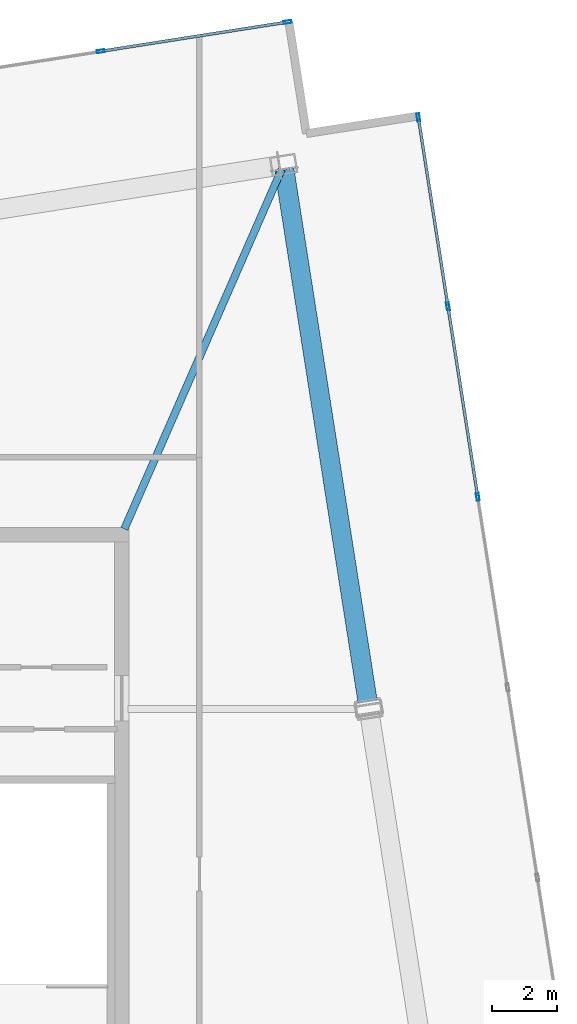
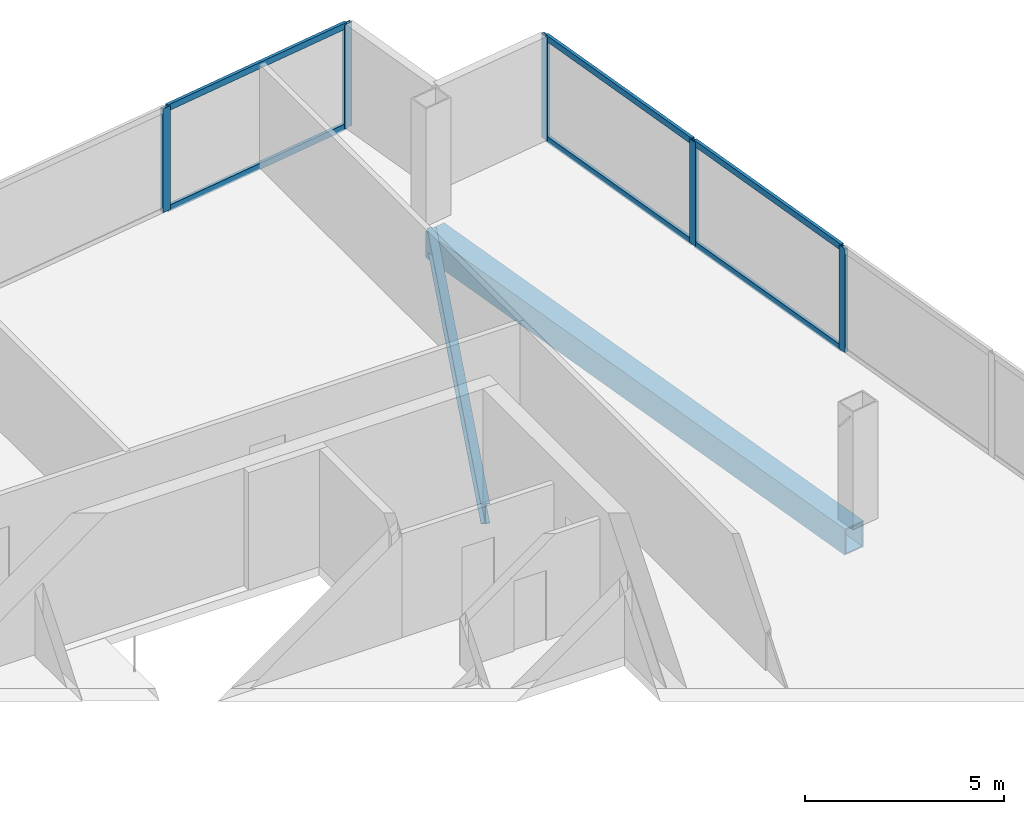
# One storey, part 13 of 17: 11 members, 2 beams, 2 elements without a shape of their own.
"""IFC4 building model written with IfcOpenShell, lengths in metres."""

from ifc_helpers import new_model, si_unit, direction, frame, origin, origin_2d, place, context, subcontext, project, spatial, hollow_rectangle, i_section, extrude, material, material_profile, profile_set, type_object, element, aggregate, save


model = new_model("IFC4")

# Units and contexts
model_context = context("Model", 3, precision=1e-05, world=origin(), true_north=direction((0.0, 1.0)))
body_context = subcontext(model_context, "Body", "Model", "MODEL_VIEW")
ifc_project = project(units=[si_unit("LENGTHUNIT", "METRE"), si_unit("AREAUNIT", "SQUARE_METRE"), si_unit("VOLUMEUNIT", "CUBIC_METRE"), si_unit("PLANEANGLEUNIT", "RADIAN"), si_unit("MASSUNIT", "GRAM", prefix="KILO")], contexts=[model_context])

# Site, building, storey
site_placement = place(None, origin())
site = spatial("IfcSite", under=ifc_project, at=site_placement, CompositionType="ELEMENT")
building_placement = place(site_placement, origin())
building = spatial("IfcBuilding", under=site, at=building_placement, Name="Haldenkirk Collegiate Tower", CompositionType="ELEMENT")
storey_placement = place(building_placement, frame((0.0, 0.0, 371.39990234375)))
storey = spatial("IfcBuildingStorey", under=building, at=storey_placement, Name="L94", CompositionType="ELEMENT", Elevation=371.39990234375)

# Beams
ifc_material_1 = material(Name="Steel ASTM A992 Grade 50", Category="steel")
ifc_material_profile_1 = material_profile(ifc_material_1, i_section(OverallWidth=0.22998046875, OverallDepth=0.616943359375, WebThickness=0.01318359375, FlangeThickness=0.022216796875, at=origin_2d()), Name="W24X94")
ifc_profile_set_1 = profile_set([ifc_material_profile_1], Name="Steel ASTM A992 Grade 50")
beam_type_1 = type_object("IfcBeamType", Name="BM-GIRDER-W24X94", PredefinedType="BEAM", material=ifc_profile_set_1)
beam_1_placement = place(storey_placement, frame((49.94921875, 45.314208984375, -0.578369140625), z_axis=(-0.400769288395, -0.916179009517, 0.0), x_axis=(0.916179009517, -0.400769288395, 0.0)))
element("IfcBeam", 1, at=beam_1_placement, inside=storey, type_object=beam_type_1, Name="L94 crown radial floor beam 3", PredefinedType="BEAM", context=body_context, shape_type="SweptSolid", body=[
    extrude(i_section(OverallWidth=0.22998046875, OverallDepth=0.616943359375, WebThickness=0.01318359375, FlangeThickness=0.022216796875, at=origin_2d()), origin(), (0.0, 0.0, 1.0), 12.1494140625),
])
ifc_material_2 = material(Name="Steel ASTM A572 Grade 50", Category="steel")
ifc_material_profile_2 = material_profile(ifc_material_2, hollow_rectangle(XDim=0.60009765625, YDim=0.800048828125, WallThickness=0.0400390625, at=origin_2d()), Name="BOX800X600X40")
ifc_profile_set_2 = profile_set([ifc_material_profile_2], Name="Steel ASTM A572 Grade 50")
beam_type_2 = type_object("IfcBeamType", Name="BM-SPANDREL-BOX800X600X40", PredefinedType="SPANDREL", material=ifc_profile_set_2)
beam_2_placement = place(storey_placement, frame((52.623779296875, 28.755126953125, -0.669921875), z_axis=(-0.154705009471, 0.987960707743, 0.0), x_axis=(-0.987960707743, -0.154705009471, 0.0)))
element("IfcBeam", 2, at=beam_2_placement, inside=storey, type_object=beam_type_2, Name="L94 Crown Ring Frame perimeter girder 2", PredefinedType="SPANDREL", context=body_context, shape_type="SweptSolid", body=[
    extrude(hollow_rectangle(XDim=0.60009765625, YDim=0.800048828125, WallThickness=0.0400390625, at=origin_2d()), origin(), (0.0, 0.0, 1.0), 16.75),
])

# Curtain wall, members
ifc_material_3 = material(Name="Anodised architectural bronze aluminium", Category="aluminium")
curtain_wall_type = type_object("IfcCurtainWallType", Name="CW-SYS6-CROWN", PredefinedType="USERDEFINED", material=ifc_material_3)
curtain_wall_1_placement = place(storey_placement, origin())
curtain_wall_1 = element("IfcCurtainWall", 3, at=curtain_wall_1_placement, inside=storey, type_object=curtain_wall_type, Name="L94 Closed crown ring ceramic-fritted bronze screen curtain wall", ObjectType="UNITISED CURTAIN WALL", PredefinedType="USERDEFINED")
ifc_material_profile_3 = material_profile(ifc_material_3, hollow_rectangle(XDim=0.090087890625, YDim=0.239990234375, WallThickness=0.0048828125, at=origin_2d()), Name="CW-MUL-06")
ifc_profile_set_3 = profile_set([ifc_material_profile_3], Name="Anodised architectural bronze aluminium")
member_type_1 = type_object("IfcMemberType", Name="CW-MUL-06", PredefinedType="MULLION", material=ifc_profile_set_3)
member_1_placement = place(storey_placement, frame((54.182373046875, 46.919921875, 0.0), z_axis=(0.0, 0.0, 1.0), x_axis=(0.987959532462, 0.154712514742, 0.0)))
member_1 = element("IfcMember", 4, at=member_1_placement, type_object=member_type_1, Name="CW-06 mullion 1", PredefinedType="MULLION", context=body_context, shape_type="SweptSolid", body=[
    extrude(hollow_rectangle(XDim=0.090087890625, YDim=0.239990234375, WallThickness=0.0048828125, at=origin_2d()), origin(), (0.0, 0.0, 1.0), 3.18017578125),
])
member_2_placement = place(storey_placement, frame((55.0986328125, 41.069580078125, 0.0), z_axis=(0.0, 0.0, 1.0), x_axis=(0.987959532462, 0.154712514742, 0.0)))
member_2 = element("IfcMember", 5, at=member_2_placement, type_object=member_type_1, Name="CW-06 mullion 2", PredefinedType="MULLION", context=body_context, shape_type="SweptSolid", body=[
    extrude(hollow_rectangle(XDim=0.090087890625, YDim=0.239990234375, WallThickness=0.0048828125, at=origin_2d()), origin(), (0.0, 0.0, 1.0), 3.18017578125),
])
member_3_placement = place(storey_placement, frame((56.021728515625, 35.174560546875, 0.0), z_axis=(0.0, 0.0, 1.0), x_axis=(0.987959532462, 0.154712514742, 0.0)))
member_3 = element("IfcMember", 6, at=member_3_placement, type_object=member_type_1, Name="CW-06 mullion 3", PredefinedType="MULLION", context=body_context, shape_type="SweptSolid", body=[
    extrude(hollow_rectangle(XDim=0.090087890625, YDim=0.239990234375, WallThickness=0.0048828125, at=origin_2d()), origin(), (0.0, 0.0, 1.0), 3.18017578125),
])

curtain_wall_2_placement = place(storey_placement, origin())
curtain_wall_2 = element("IfcCurtainWall", 7, at=curtain_wall_2_placement, inside=storey, type_object=curtain_wall_type, Name="L94 Closed crown ring ceramic-fritted bronze screen curtain wall", ObjectType="UNITISED CURTAIN WALL", PredefinedType="USERDEFINED")
member_4_placement = place(storey_placement, frame((44.34716796875, 48.968017578125, 0.0), z_axis=(0.0, 0.0, 1.0), x_axis=(-0.154708982189, 0.987960085646, 0.0)))
member_4 = element("IfcMember", 8, at=member_4_placement, type_object=member_type_1, Name="CW-06 mullion 6", PredefinedType="MULLION", context=body_context, shape_type="SweptSolid", body=[
    extrude(hollow_rectangle(XDim=0.090087890625, YDim=0.239990234375, WallThickness=0.0048828125, at=origin_2d()), origin(), (0.0, 0.0, 1.0), 3.18017578125),
])
member_5_placement = place(storey_placement, frame((50.131591796875, 49.873779296875, 0.0), z_axis=(0.0, 0.0, 1.0), x_axis=(-0.154708982189, 0.987960085646, 0.0)))
member_5 = element("IfcMember", 9, at=member_5_placement, type_object=member_type_1, Name="CW-06 mullion 7", PredefinedType="MULLION", context=body_context, shape_type="SweptSolid", body=[
    extrude(hollow_rectangle(XDim=0.090087890625, YDim=0.239990234375, WallThickness=0.0048828125, at=origin_2d()), origin(), (0.0, 0.0, 1.0), 3.18017578125),
])

# Member
ifc_material_profile_4 = material_profile(ifc_material_3, hollow_rectangle(XDim=0.090087890625, YDim=0.18994140625, WallThickness=0.0048828125, at=origin_2d()), Name="CW-TRN-06")
ifc_profile_set_4 = profile_set([ifc_material_profile_4], Name="Anodised architectural bronze aluminium")
member_type_2 = type_object("IfcMemberType", Name="CW-TRN-06", PredefinedType="USERDEFINED", material=ifc_profile_set_4)
member_6_placement = place(storey_placement, frame((54.189208984375, 46.87548828125, 0.045166015625), z_axis=(0.154730622105, -0.987956696714, 0.0), x_axis=(0.987956696714, 0.154730622105, 0.0)))
member_6 = element("IfcMember", 10, at=member_6_placement, type_object=member_type_2, Name="CW-06 transom 1.1", ObjectType="TRANSOM", PredefinedType="USERDEFINED", context=body_context, shape_type="SweptSolid", body=[
    extrude(hollow_rectangle(XDim=0.090087890625, YDim=0.18994140625, WallThickness=0.0048828125, at=origin_2d()), origin(), (0.0, 0.0, 1.0), 5.831787109375),
])

member_7_placement = place(storey_placement, frame((54.189208984375, 46.87548828125, 3.135009765625), z_axis=(0.154730622105, -0.987956696714, 0.0), x_axis=(0.987956696714, 0.154730622105, 0.0)))
member_7 = element("IfcMember", 11, at=member_7_placement, type_object=member_type_2, Name="CW-06 transom 1.2", ObjectType="TRANSOM", PredefinedType="USERDEFINED", context=body_context, shape_type="SweptSolid", body=[
    extrude(hollow_rectangle(XDim=0.090087890625, YDim=0.18994140625, WallThickness=0.0048828125, at=origin_2d()), origin(), (0.0, 0.0, 1.0), 5.831787109375),
])

member_8_placement = place(storey_placement, frame((55.10546875, 41.025146484375, 0.045166015625), z_axis=(0.154710174658, -0.987959898912, 0.0), x_axis=(0.987959898912, 0.154710174658, 0.0)))
member_8 = element("IfcMember", 12, at=member_8_placement, type_object=member_type_2, Name="CW-06 transom 2.1", ObjectType="TRANSOM", PredefinedType="USERDEFINED", context=body_context, shape_type="SweptSolid", body=[
    extrude(hollow_rectangle(XDim=0.090087890625, YDim=0.18994140625, WallThickness=0.0048828125, at=origin_2d()), origin(), (0.0, 0.0, 1.0), 5.876708984375),
])

member_9_placement = place(storey_placement, frame((55.10546875, 41.025146484375, 3.135009765625), z_axis=(0.154710174658, -0.987959898912, 0.0), x_axis=(0.987959898912, 0.154710174658, 0.0)))
member_9 = element("IfcMember", 13, at=member_9_placement, type_object=member_type_2, Name="CW-06 transom 2.2", ObjectType="TRANSOM", PredefinedType="USERDEFINED", context=body_context, shape_type="SweptSolid", body=[
    extrude(hollow_rectangle(XDim=0.090087890625, YDim=0.18994140625, WallThickness=0.0048828125, at=origin_2d()), origin(), (0.0, 0.0, 1.0), 5.876708984375),
])

aggregate(curtain_wall_1, [member_1, member_2, member_3, member_6, member_7, member_8, member_9])

member_10_placement = place(storey_placement, frame((44.3916015625, 48.974853515625, 0.045166015625), z_axis=(0.987961315074, 0.154701130951, 0.0), x_axis=(-0.154701130951, 0.987961315074, 0.0)))
member_10 = element("IfcMember", 14, at=member_10_placement, type_object=member_type_2, Name="CW-06 transom 6.1", ObjectType="TRANSOM", PredefinedType="USERDEFINED", context=body_context, shape_type="SweptSolid", body=[
    extrude(hollow_rectangle(XDim=0.090087890625, YDim=0.18994140625, WallThickness=0.0048828125, at=origin_2d()), origin(), (0.0, 0.0, 1.0), 5.764892578125),
])

member_11_placement = place(storey_placement, frame((44.3916015625, 48.974853515625, 3.135009765625), z_axis=(0.987961315074, 0.154701130951, 0.0), x_axis=(-0.154701130951, 0.987961315074, 0.0)))
member_11 = element("IfcMember", 15, at=member_11_placement, type_object=member_type_2, Name="CW-06 transom 6.2", ObjectType="TRANSOM", PredefinedType="USERDEFINED", context=body_context, shape_type="SweptSolid", body=[
    extrude(hollow_rectangle(XDim=0.090087890625, YDim=0.18994140625, WallThickness=0.0048828125, at=origin_2d()), origin(), (0.0, 0.0, 1.0), 5.764892578125),
])

aggregate(curtain_wall_2, [member_4, member_5, member_10, member_11])

save(model, "model.ifc")
